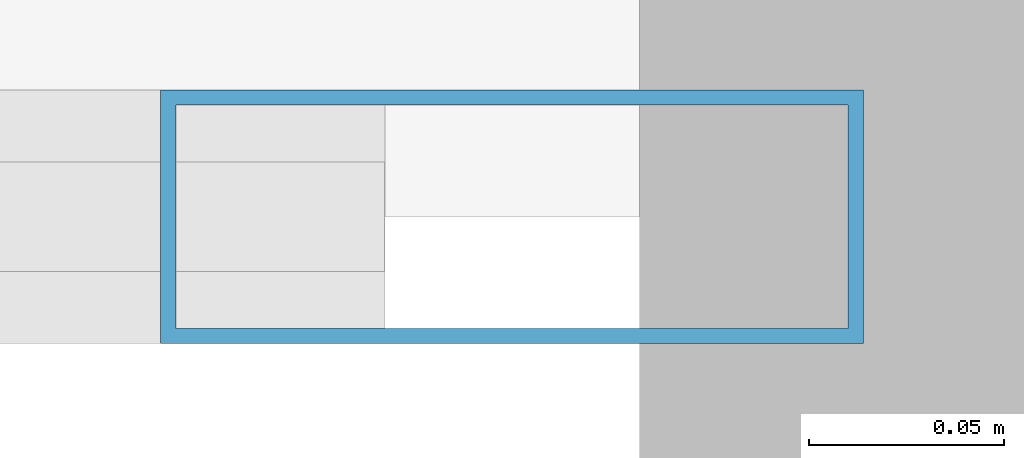
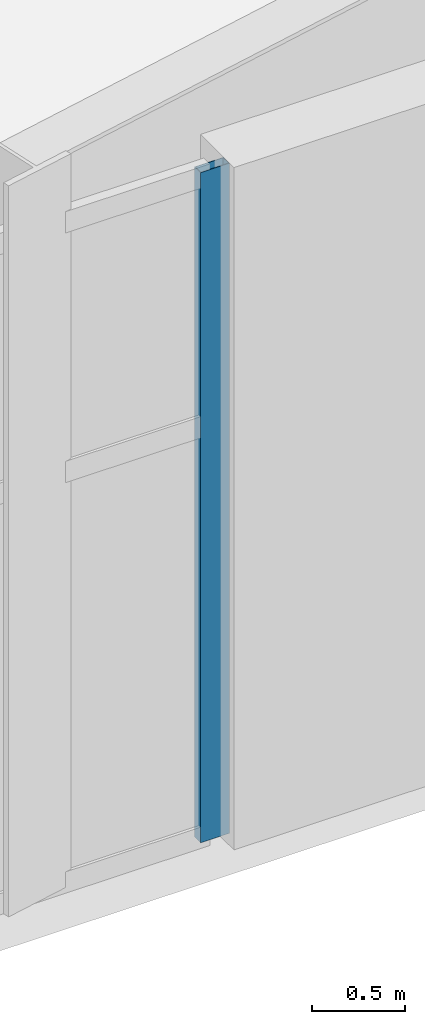
# One storey, part 10 of 25: 1 member, 1 element without a shape of its own.
"""IFC4 building model written with IfcOpenShell, lengths in metres."""

import ifcopenshell
import ifcopenshell.guid

model = None  # the IFC model being written
_history = None  # IfcOwnerHistory: only IFC2X3 demands one
_inside = {}  # id of a spatial element -> (the spatial element, [elements in it])
_under = {}  # id of a project, library or spatial element -> (it, [spatial elements below it])
_declared = {}  # id of a project -> (the project, [libraries it declares])
_typed = {}  # id of a type object -> (the type object, [elements of that type])
_made_of = {}  # id of a material, layer set ... -> (it, [elements and type objects made of it])


def new_model(schema):
    """Start an empty IFC model of exactly this schema.

    Asked for "IFC4X3", IfcOpenShell would pick the latest addendum, in which some entities
    have other attributes; the version numbers below select the first issue.
    IFC2X3 requires an IfcOwnerHistory on every rooted entity: one is made here for all.
    """
    global model, _history
    if schema == "IFC4X3":
        model = ifcopenshell.file(schema_version=(4, 3, 0, 0))
    else:
        model = ifcopenshell.file(schema=schema)
    _inside.clear()
    _under.clear()
    _declared.clear()
    _typed.clear()
    _made_of.clear()
    _history = None
    if model.schema == "IFC2X3":
        org = make("IfcOrganization", Name="unknown")
        user = make(
            "IfcPersonAndOrganization",
            ThePerson=make("IfcPerson", FamilyName="unknown"),
            TheOrganization=org,
        )
        app = make(
            "IfcApplication",
            ApplicationDeveloper=org,
            Version="unknown",
            ApplicationFullName="unknown",
            ApplicationIdentifier="unknown",
        )
        _history = make(
            "IfcOwnerHistory",
            OwningUser=user,
            OwningApplication=app,
            ChangeAction="ADDED",
            CreationDate=0,
        )
    return model


def make(cls, **values):
    """One entity of the class cls with the attributes given. An attribute that is None is left unset."""
    return model.create_entity(
        cls, **{name: value for name, value in values.items() if value is not None}
    )


def rooted(cls, **values):
    """An entity with a GlobalId (a new one), such as an element, a storey or a relation."""
    return make(cls, GlobalId=ifcopenshell.guid.new(), OwnerHistory=_history, **values)


def si_unit(unit_type, name, prefix=None):
    """IfcSIUnit, for example si_unit("LENGTHUNIT", "METRE", prefix="MILLI")."""
    return make("IfcSIUnit", UnitType=unit_type, Prefix=prefix, Name=name)


def assignment(units):
    """IfcUnitAssignment: the units of a project."""
    return None if units is None else make("IfcUnitAssignment", Units=units)


def point(xyz):
    """IfcCartesianPoint."""
    return None if xyz is None else make("IfcCartesianPoint", Coordinates=xyz)


def direction(xyz):
    """IfcDirection."""
    return None if xyz is None else make("IfcDirection", DirectionRatios=xyz)


def frame(location, z_axis=None, x_axis=None):
    """IfcAxis2Placement3D, a coordinate frame: its origin and axes. An axis left out is left unset."""
    return make(
        "IfcAxis2Placement3D",
        Location=point(location),
        Axis=direction(z_axis),
        RefDirection=direction(x_axis),
    )


def frame_2d(location, x_axis=None):
    """IfcAxis2Placement2D, a coordinate frame in the plane: its origin and x axis."""
    return make(
        "IfcAxis2Placement2D", Location=point(location), RefDirection=direction(x_axis)
    )


def origin():
    """The frame at (0, 0, 0) with its axes left unset."""
    return frame((0.0, 0.0, 0.0))


def origin_2d():
    """The frame at (0, 0) in the plane with its x axis left unset."""
    return frame_2d((0.0, 0.0))


def place(relative_to, where):
    """IfcLocalPlacement: puts the frame where relative to a parent placement (None: the world)."""
    return make(
        "IfcLocalPlacement", PlacementRelTo=relative_to, RelativePlacement=where
    )


def context(
    kind, dimensions, precision=None, world=None, true_north=None, identifier=None
):
    """IfcGeometricRepresentationContext, for example the 3D "Model" context."""
    return make(
        "IfcGeometricRepresentationContext",
        ContextIdentifier=identifier,
        ContextType=kind,
        CoordinateSpaceDimension=dimensions,
        Precision=precision,
        WorldCoordinateSystem=world,
        TrueNorth=true_north,
    )


def subcontext(parent, identifier, kind, view, scale=None):
    """IfcGeometricRepresentationSubContext, for example "Body" below "Model"."""
    return make(
        "IfcGeometricRepresentationSubContext",
        ContextIdentifier=identifier,
        ContextType=kind,
        ParentContext=parent,
        TargetScale=scale,
        TargetView=view,
    )


def project(units=None, contexts=None):
    """IfcProject with its units and contexts."""
    return rooted(
        "IfcProject",
        Name="project",
        RepresentationContexts=contexts,
        UnitsInContext=assignment(units),
    )


def spatial(cls, under=None, at=None, **own):
    """A site, building, storey or space (cls), placed at a placement, below another one or the project."""
    s = rooted(cls, ObjectPlacement=at, **own)
    if under is not None:
        _under.setdefault(under.id(), (under, []))[1].append(s)
    return s


def profile(cls, at=None, kind="AREA", **sizes):
    """A parametric profile (cls). Its sizes go by their IFC names, for example OverallWidth=200.0."""
    return make(cls, ProfileType=kind, Position=at, **sizes)


def hollow_rectangle(**sizes):
    """IfcRectangleHollowProfileDef."""
    return profile("IfcRectangleHollowProfileDef", **sizes)


def extrude(swept, where, along, depth):
    """IfcExtrudedAreaSolid: the profile swept, set in the frame where, extruded along a direction by depth."""
    return make(
        "IfcExtrudedAreaSolid",
        SweptArea=swept,
        Position=where,
        ExtrudedDirection=direction(along),
        Depth=depth,
    )


def shape(context_of_items, identifier, shape_type, items):
    """IfcShapeRepresentation: the items that make up one representation, for example the "Body"."""
    return make(
        "IfcShapeRepresentation",
        ContextOfItems=context_of_items,
        RepresentationIdentifier=identifier,
        RepresentationType=shape_type,
        Items=items,
    )


def material(Name=None, Category=None):
    """IfcMaterial."""
    return make("IfcMaterial", Name=Name, Category=Category)


def layer(
    of_material, thickness, ventilated=None, Name=None, Category=None, Priority=None
):
    """IfcMaterialLayer: one layer of a wall or slab, of a material (None: an air gap)."""
    return make(
        "IfcMaterialLayer",
        Material=of_material,
        LayerThickness=thickness,
        IsVentilated=ventilated,
        Name=Name,
        Category=Category,
        Priority=Priority,
    )


def layer_set(layers, Name=None):
    """IfcMaterialLayerSet."""
    return make("IfcMaterialLayerSet", MaterialLayers=layers, LayerSetName=Name)


def material_profile(
    of_material, cross_section, Name=None, Category=None, Priority=None
):
    """IfcMaterialProfile: a cross section and its material."""
    return make(
        "IfcMaterialProfile",
        Name=Name,
        Material=of_material,
        Profile=cross_section,
        Priority=Priority,
        Category=Category,
    )


def profile_set(profiles, Name=None, composite=None):
    """IfcMaterialProfileSet."""
    return make(
        "IfcMaterialProfileSet",
        Name=Name,
        MaterialProfiles=profiles,
        CompositeProfile=composite,
    )


def made_of(thing, what):
    """Note that an element or type object is made of a material, layer set ...; save() writes the relation."""
    if what is not None:
        _made_of.setdefault(what.id(), (what, []))[1].append(thing)
    return thing


def type_object(cls, material=None, **own):
    """A type object (cls), such as IfcWallType, which elements share."""
    return made_of(rooted(cls, **own), material)


def element(
    cls,
    number,
    at=None,
    inside=None,
    cuts=None,
    type_object=None,
    material=None,
    context=None,
    identifier="Body",
    shape_type=None,
    held_by="IfcProductDefinitionShape",
    body=None,
    shapes=None,
    **own,
):
    """One element of the class cls, such as IfcWall. Its Tag is "e" and its number.

    at: its placement. inside: the storey or other place that contains it. cuts: it is an
    opening in that element (IfcRelVoidsElement). A single representation is given by context,
    identifier, shape_type and body (its items); several are given by shapes. held_by: the class
    of the entity that holds the representations. save() writes the other relations.
    """
    e = rooted(cls, Tag="e%d" % number, ObjectPlacement=at, **own)
    if body is not None:
        shapes = [shape(context, identifier, shape_type, body)]
    if shapes is not None:
        e.Representation = make(held_by, Representations=shapes)
    if inside is not None:
        _inside.setdefault(inside.id(), (inside, []))[1].append(e)
    if cuts is not None:
        rooted(
            "IfcRelVoidsElement", RelatingBuildingElement=cuts, RelatedOpeningElement=e
        )
    if type_object is not None:
        _typed.setdefault(type_object.id(), (type_object, []))[1].append(e)
    return made_of(e, material)


def aggregate(whole, parts):
    """IfcRelAggregates: a whole, such as a stair, and the parts it consists of."""
    return rooted("IfcRelAggregates", RelatingObject=whole, RelatedObjects=parts)


def save(model, path):
    """Write the relations noted so far, then the file.

    IfcRelAggregates (storeys below a building ...), IfcRelContainedInSpatialStructure (elements
    in a storey), IfcRelDefinesByType, IfcRelAssociatesMaterial and IfcRelDeclares: one each for
    every whole, place, type object, material and project.
    """
    for whole, parts in _under.values():
        aggregate(whole, parts)
    for where, things in _inside.values():
        rooted(
            "IfcRelContainedInSpatialStructure",
            RelatedElements=things,
            RelatingStructure=where,
        )
    for kind, things in _typed.values():
        rooted("IfcRelDefinesByType", RelatedObjects=things, RelatingType=kind)
    for what, things in _made_of.values():
        rooted("IfcRelAssociatesMaterial", RelatedObjects=things, RelatingMaterial=what)
    for by, libraries in _declared.values():
        rooted("IfcRelDeclares", RelatingContext=by, RelatedDefinitions=libraries)
    model.write(path)


model = new_model("IFC4")

# Units and contexts
model_context = context("Model", 3, precision=1e-05, world=origin(), true_north=direction((0.0, 1.0)))
body_context = subcontext(model_context, "Body", "Model", "MODEL_VIEW")
ifc_project = project(units=[si_unit("LENGTHUNIT", "METRE"), si_unit("AREAUNIT", "SQUARE_METRE"), si_unit("VOLUMEUNIT", "CUBIC_METRE"), si_unit("PLANEANGLEUNIT", "RADIAN"), si_unit("MASSUNIT", "GRAM", prefix="KILO")], contexts=[model_context])

# Site, building, storey
site_placement = place(None, origin())
site = spatial("IfcSite", under=ifc_project, at=site_placement, CompositionType="ELEMENT")
building_placement = place(site_placement, origin())
building = spatial("IfcBuilding", under=site, at=building_placement, Name="Haevon Station Towers", CompositionType="ELEMENT")
storey_placement = place(building_placement, frame((0.0, 0.0, 6.0)))
storey = spatial("IfcBuildingStorey", under=building, at=storey_placement, Name="L01", CompositionType="ELEMENT", Elevation=6.0)

# Curtain wall, member
ifc_material_1 = material(Name="Anodised aluminium and Low-E double glazing", Category="aluminium")
ifc_layer = layer(ifc_material_1, 0.179931640625)
ifc_layer_set = layer_set([ifc_layer], Name="Anodised aluminium and Low-E double glazing")
curtain_wall_type = type_object("IfcCurtainWallType", Name="CW-SYS1", PredefinedType="NOTDEFINED", material=ifc_layer_set)
curtain_wall_placement = place(storey_placement, origin())
curtain_wall = element("IfcCurtainWall", 1, at=curtain_wall_placement, inside=storey, type_object=curtain_wall_type, Name="L01 Curtain Wall CW-POD-L01-S1", PredefinedType="NOTDEFINED")
ifc_material_2 = material(Name="Anodised aluminium 6063-T6", Category="aluminium")
ifc_material_profile = material_profile(ifc_material_2, hollow_rectangle(XDim=0.06494140625, YDim=0.179931640625, WallThickness=0.00390625, at=origin_2d()), Name="CWM-180x65x4")
ifc_profile_set = profile_set([ifc_material_profile], Name="Anodised aluminium 6063-T6")
member_type = type_object("IfcMemberType", Name="CWM-180", PredefinedType="MULLION", material=ifc_profile_set)
member_placement = place(storey_placement, frame((104.967529296875, 13.5, 0.0), z_axis=(0.0, 0.0, 1.0), x_axis=(0.0, -1.0, 0.0)))
member = element("IfcMember", 2, at=member_placement, type_object=member_type, Name="CW-SYS1 mullion 1", PredefinedType="MULLION", context=body_context, shape_type="SweptSolid", body=[
    extrude(hollow_rectangle(XDim=0.06494140625, YDim=0.179931640625, WallThickness=0.00390625, at=origin_2d()), origin(), (0.0, 0.0, 1.0), 4.39990234375),
])
aggregate(curtain_wall, [member])

save(model, "model.ifc")
